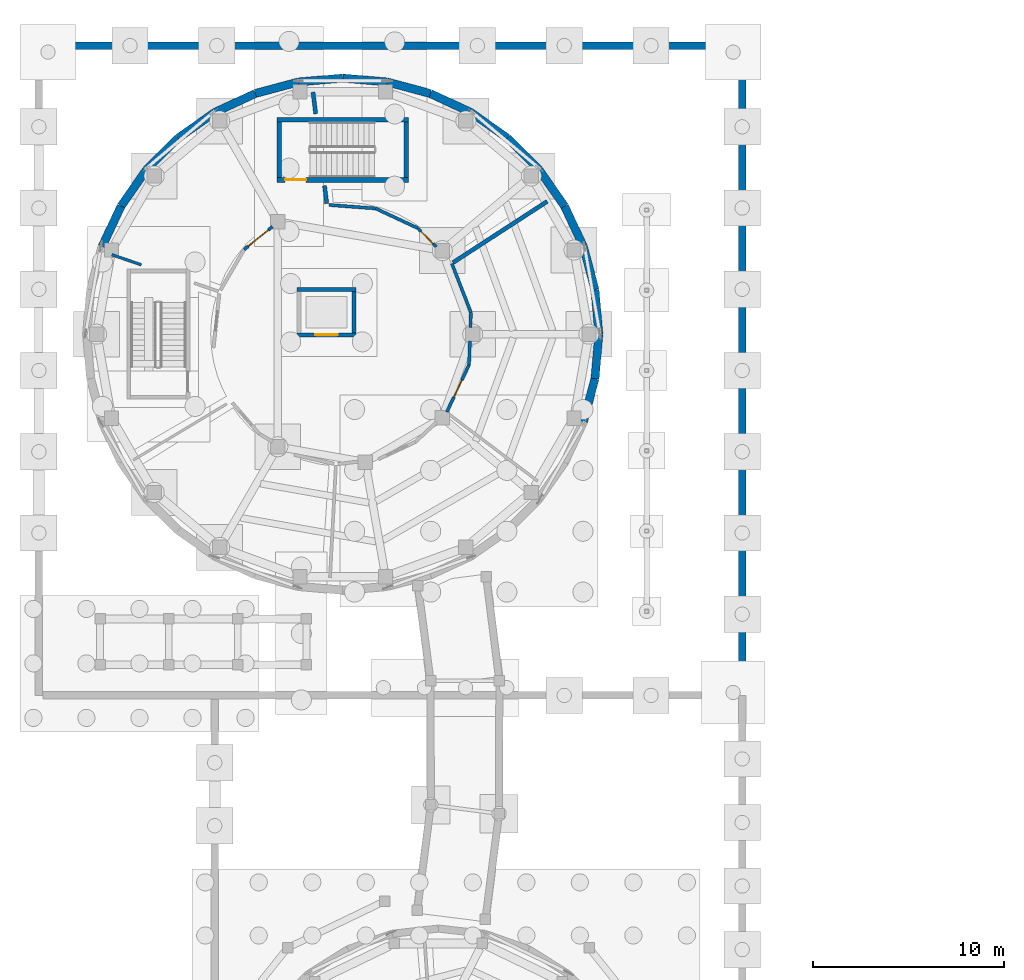
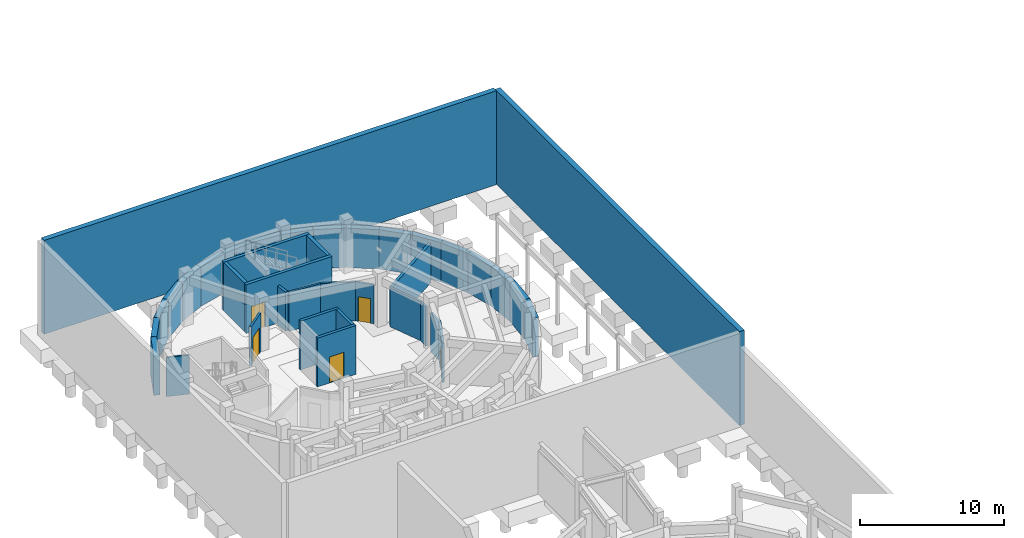
# One storey, part 43 of 57: 39 walls, 5 doors, 5 openings.
"""IFC4 building model written with IfcOpenShell, lengths in metres."""

from ifc_helpers import new_model, si_unit, direction, frame, frame_2d, origin, place, context, subcontext, project, spatial, rectangle, extrude, material, layer, layer_set, type_object, element, fill, save


model = new_model("IFC4")

# Units and contexts
model_context = context("Model", 3, precision=1e-05, world=origin(), true_north=direction((0.0, 1.0)))
body_context = subcontext(model_context, "Body", "Model", "MODEL_VIEW")
ifc_project = project(units=[si_unit("LENGTHUNIT", "METRE"), si_unit("AREAUNIT", "SQUARE_METRE"), si_unit("VOLUMEUNIT", "CUBIC_METRE"), si_unit("PLANEANGLEUNIT", "RADIAN"), si_unit("MASSUNIT", "GRAM", prefix="KILO")], contexts=[model_context])

# Site, building, storey
site_placement = place(None, origin())
site = spatial("IfcSite", under=ifc_project, at=site_placement, CompositionType="ELEMENT")
building_placement = place(site_placement, origin())
building = spatial("IfcBuilding", under=site, at=building_placement, Name="Aldenvaro Health Centre", CompositionType="ELEMENT")
storey_placement = place(building_placement, frame((0.0, 0.0, -4.550048828125)))
storey = spatial("IfcBuildingStorey", under=building, at=storey_placement, Name="B1", CompositionType="ELEMENT", Elevation=-4.550048828125)

# Wall
ifc_material_1 = material(Name="Gypsum Stud Acoustic Assembly")
ifc_layer_1 = layer(ifc_material_1, 0.14501953125, Name="Gypsum Stud Acoustic Assembly")
ifc_layer_set_1 = layer_set([ifc_layer_1], Name="Gypsum Stud Acoustic Assembly")
wall_type_1 = type_object("IfcWallType", Name="WL-CLN-145", PredefinedType="PARTITIONING", material=ifc_layer_set_1)
wall_1_placement = place(storey_placement, frame((7.9580078125, 103.1298828125, 0.0), z_axis=(0.0, 0.0, 1.0), x_axis=(-0.945571551617, 0.325414260248, 0.0)))
element("IfcWall", 1, at=wall_1_placement, inside=storey, type_object=wall_type_1, Name="D4 B1 clinical partition 3.2", PredefinedType="PARTITIONING", context=body_context, shape_type="SweptSolid", body=[
    extrude(rectangle(XDim=1.6318359375, YDim=0.14501953125, at=frame_2d((0.81591796875, 0.0))), origin(), (0.0, 0.0, 1.0), 3.322998046875),
])

# Wall, opening, door
ifc_layer_2 = layer(ifc_material_1, 0.1650390625, Name="Gypsum Stud Acoustic Assembly")
ifc_layer_set_2 = layer_set([ifc_layer_2], Name="Gypsum Stud Acoustic Assembly")
wall_type_2 = type_object("IfcWallType", Name="WL-COR-165", PredefinedType="PARTITIONING", material=ifc_layer_set_2)
wall_2_placement = place(storey_placement, frame((23.385986328125, 104.070068359375, 0.0), z_axis=(0.0, 0.0, 1.0), x_axis=(-0.697890704437, 0.716204275791, 0.0)))
wall_2 = element("IfcWall", 2, at=wall_2_placement, inside=storey, type_object=wall_type_2, Name="D4 B1 corridor wall 01.1", PredefinedType="PARTITIONING", context=body_context, shape_type="SweptSolid", body=[
    extrude(rectangle(XDim=1.35986328125, YDim=0.1650390625, at=frame_2d((0.679931640625, 0.0))), origin(), (0.0, 0.0, 1.0), 3.322998046875),
])
opening_1_placement = place(wall_2_placement, frame((0.22998046875, 0.0, 0.0)))
opening_1 = element("IfcOpeningElement", 3, at=opening_1_placement, cuts=wall_2, Name="Opening WD-01", PredefinedType="OPENING", context=body_context, shape_type="SweptSolid", body=[
    extrude(rectangle(XDim=0.89990234375, YDim=2.10009765625, at=frame_2d((0.449951171875, 1.050048828125))), frame((0.0, 0.092529296875, 0.0), z_axis=(0.0, -1.0, 0.0), x_axis=(1.0, 0.0, 0.0)), (0.0, 0.0, 1.0), 0.18505859375),
])
ifc_material_2 = material(Name="Moisture-Resistant Laminate Door")
door_type_1 = type_object("IfcDoorType", Name="DR-WC-01", OperationType="NOTDEFINED", PredefinedType="DOOR", material=ifc_material_2)
door_1_placement = place(opening_1_placement, origin())
door_1 = element("IfcDoor", 4, at=door_1_placement, inside=storey, type_object=door_type_1, Name="Clinical Laboratory Specimen Processing Door", OperationType="SINGLE_SWING_LEFT", OverallHeight=2.10009765625, OverallWidth=0.89990234375, PredefinedType="DOOR", context=body_context, shape_type="SweptSolid", body=[
    extrude(rectangle(XDim=0.89990234375, YDim=2.10009765625, at=frame_2d((0.449951171875, 1.050048828125))), frame((0.0, 0.02490234375, 0.0), z_axis=(0.0, -1.0, 0.0), x_axis=(1.0, 0.0, 0.0)), (0.0, 0.0, 1.0), 0.050048828125),
])
fill(opening_1, door_1)

# Walls
for number, where, z_axis, x_axis, name in (
    (5, (22.43701171875, 105.0439453125, 0.0), (0.0, 0.0, 1.0), (-0.906231489143, 0.422781844556, 0.0), "D4 B1 corridor wall 01.2"),
    (6, (20.216064453125, 106.080078125, 0.0), (0.0, 0.0, 1.0), (-0.997271830057, 0.073816644298, 0.0), "D4 B1 corridor wall 01.3"),
):
    element("IfcWall", number, at=place(storey_placement, frame(where, z_axis=z_axis, x_axis=x_axis)), inside=storey, type_object=wall_type_2, Name=name, PredefinedType="PARTITIONING", context=body_context, shape_type="SweptSolid", body=[
        extrude(rectangle(XDim=2.45068359375, YDim=0.1650390625, at=frame_2d((1.225341796875, 0.0))), origin(), (0.0, 0.0, 1.0), 3.322998046875),
    ])

# Wall, opening, door
wall_3_placement = place(storey_placement, frame((14.822998046875, 105.12890625, 0.0), z_axis=(0.0, 0.0, 1.0), x_axis=(-0.777328188004, -0.629095293366, 0.0)))
wall_3 = element("IfcWall", 7, at=wall_3_placement, inside=storey, type_object=wall_type_2, Name="D4 B1 corridor wall 02.1", PredefinedType="PARTITIONING", context=body_context, shape_type="SweptSolid", body=[
    extrude(rectangle(XDim=1.91064453125, YDim=0.1650390625, at=frame_2d((0.955322265625, 0.0))), origin(), (0.0, 0.0, 1.0), 3.322998046875),
])
opening_2_placement = place(wall_3_placement, frame((0.280029296875, 0.0, 0.0)))
opening_2 = element("IfcOpeningElement", 8, at=opening_2_placement, cuts=wall_3, Name="Opening XD-02", PredefinedType="OPENING", context=body_context, shape_type="SweptSolid", body=[
    extrude(rectangle(XDim=1.35009765625, YDim=2.219970703125, at=frame_2d((0.675048828125, 1.10986328125))), frame((0.0, 0.092529296875, 0.0), z_axis=(0.0, -1.0, 0.0), x_axis=(1.0, 0.0, 0.0)), (0.0, 0.0, 1.0), 0.18505859375),
])
ifc_material_3 = material(Name="RF-Shielded MRI Suite Door")
door_type_2 = type_object("IfcDoorType", Name="DR-IMG-135", OperationType="NOTDEFINED", PredefinedType="DOOR", material=ifc_material_3)
door_2_placement = place(opening_2_placement, origin())
door_2 = element("IfcDoor", 9, at=door_2_placement, inside=storey, type_object=door_type_2, Name="Hematology and Chemistry Analyzer Lab Door", OperationType="SINGLE_SWING_RIGHT", OverallHeight=2.219970703125, OverallWidth=1.35009765625, PredefinedType="DOOR", context=body_context, shape_type="SweptSolid", body=[
    extrude(rectangle(XDim=1.35009765625, YDim=2.219970703125, at=frame_2d((0.675048828125, 1.10986328125))), frame((0.0, 0.02490234375, 0.0), z_axis=(0.0, -1.0, 0.0), x_axis=(1.0, 0.0, 0.0)), (0.0, 0.0, 1.0), 0.050048828125),
])
fill(opening_2, door_2)

wall_4_placement = place(storey_placement, frame((23.943115234375, 95.427978515625, 0.0), z_axis=(0.0, 0.0, 1.0), x_axis=(0.426809203115, 0.90434169656, 0.0)))
wall_4 = element("IfcWall", 10, at=wall_4_placement, inside=storey, type_object=wall_type_2, Name="D4 B1 corridor wall 06.1", PredefinedType="PARTITIONING", context=body_context, shape_type="SweptSolid", body=[
    extrude(rectangle(XDim=2.72900390625, YDim=0.1650390625, at=frame_2d((1.364501953125, 0.0))), origin(), (0.0, 0.0, 1.0), 3.322998046875),
])
opening_3_placement = place(wall_4_placement, frame((0.875, 0.0, 0.0)))
opening_3 = element("IfcOpeningElement", 11, at=opening_3_placement, cuts=wall_4, Name="Opening WD-03", PredefinedType="OPENING", context=body_context, shape_type="SweptSolid", body=[
    extrude(rectangle(XDim=0.97998046875, YDim=2.10009765625, at=frame_2d((0.489990234375, 1.050048828125))), frame((0.0, 0.092529296875, 0.0), z_axis=(0.0, -1.0, 0.0), x_axis=(1.0, 0.0, 0.0)), (0.0, 0.0, 1.0), 0.18505859375),
])
ifc_material_4 = material(Name="Bariatric Accessible Sanitary Door")
door_type_3 = type_object("IfcDoorType", Name="DR-WC-03", OperationType="NOTDEFINED", PredefinedType="DOOR", material=ifc_material_4)
door_3_placement = place(opening_3_placement, origin())
door_3 = element("IfcDoor", 12, at=door_3_placement, inside=storey, type_object=door_type_3, Name="Laboratory Staff WC Door", OperationType="SINGLE_SWING_RIGHT", OverallHeight=2.10009765625, OverallWidth=0.97998046875, PredefinedType="DOOR", context=body_context, shape_type="SweptSolid", body=[
    extrude(rectangle(XDim=0.97998046875, YDim=2.10009765625, at=frame_2d((0.489990234375, 1.050048828125))), frame((0.0, 0.02490234375, 0.0), z_axis=(0.0, -1.0, 0.0), x_axis=(1.0, 0.0, 0.0)), (0.0, 0.0, 1.0), 0.050048828125),
])
fill(opening_3, door_3)

# Walls
wall_5_placement = place(storey_placement, frame((25.10791015625, 97.89599609375, 0.0), z_axis=(0.0, 0.0, 1.0), x_axis=(0.035219569185, 0.999379598524, 0.0)))
element("IfcWall", 13, at=wall_5_placement, inside=storey, type_object=wall_type_2, Name="D4 B1 corridor wall 06.2", PredefinedType="PARTITIONING", context=body_context, shape_type="SweptSolid", body=[
    extrude(rectangle(XDim=1.254638671875, YDim=0.1650390625, at=frame_2d((0.62744140625, 0.0))), origin(), (0.0, 0.0, 1.0), 3.322998046875),
])
wall_6_placement = place(storey_placement, frame((25.177001953125, 99.85888671875, 0.0), z_axis=(0.0, 0.0, 1.0), x_axis=(0.034720836478, 0.999397049983, 0.0)))
element("IfcWall", 14, at=wall_6_placement, inside=storey, type_object=wall_type_2, Name="D4 B1 corridor wall 06.3", PredefinedType="PARTITIONING", context=body_context, shape_type="SweptSolid", body=[
    extrude(rectangle(XDim=0.780517578125, YDim=0.1650390625, at=frame_2d((0.39013671875, 0.0))), origin(), (0.0, 0.0, 1.0), 3.322998046875),
])
wall_7_placement = place(storey_placement, frame((25.2041015625, 100.638916015625, 0.0), z_axis=(0.0, 0.0, 1.0), x_axis=(-0.362969965977, 0.931800839128, 0.0)))
element("IfcWall", 15, at=wall_7_placement, inside=storey, type_object=wall_type_2, Name="D4 B1 corridor wall 06.4", PredefinedType="PARTITIONING", context=body_context, shape_type="SweptSolid", body=[
    extrude(rectangle(XDim=2.744384765625, YDim=0.1650390625, at=frame_2d((1.3720703125, 0.0))), origin(), (0.0, 0.0, 1.0), 3.322998046875),
])
ifc_material_5 = material(Name="Concrete f'c 35 MPa", Category="concrete")
ifc_layer_3 = layer(ifc_material_5, 0.215087890625, Name="Concrete f'c 35 MPa", Category="concrete")
ifc_layer_set_3 = layer_set([ifc_layer_3], Name="Concrete f'c 35 MPa")
wall_type_3 = type_object("IfcWallType", Name="WL-IMG-215", PredefinedType="SOLIDWALL", material=ifc_layer_set_3)
wall_8_placement = place(storey_placement, frame((24.27294921875, 103.2490234375, 0.0), z_axis=(0.0, 0.0, 1.0), x_axis=(0.838645789039, 0.544677189284, 0.0)))
element("IfcWall", 16, at=wall_8_placement, inside=storey, type_object=wall_type_3, Name="D4 B1 clinical partition 1.1", PredefinedType="SOLIDWALL", context=body_context, shape_type="SweptSolid", body=[
    extrude(rectangle(XDim=5.875, YDim=0.215087890625, at=frame_2d((2.9375, 0.0))), origin(), (0.0, 0.0, 1.0), 3.322998046875),
])
wall_9_placement = place(storey_placement, frame((17.660888671875, 106.33203125, 0.0), z_axis=(0.0, 0.0, 1.0), x_axis=(-0.121681440816, 0.992569205124, 0.0)))
element("IfcWall", 17, at=wall_9_placement, inside=storey, type_object=wall_type_3, Name="D4 B1 clinical partition 2.1", PredefinedType="SOLIDWALL", context=body_context, shape_type="SweptSolid", body=[
    extrude(rectangle(XDim=0.945068359375, YDim=0.215087890625, at=frame_2d((0.47265625, 0.0))), origin(), (0.0, 0.0, 1.0), 3.322998046875),
])
wall_10_placement = place(storey_placement, frame((17.083984375, 111.030029296875, 0.0), z_axis=(0.0, 0.0, 1.0), x_axis=(-0.121691696254, 0.992567947832, 0.0)))
element("IfcWall", 18, at=wall_10_placement, inside=storey, type_object=wall_type_3, Name="D4 B1 clinical partition 2.2", PredefinedType="SOLIDWALL", context=body_context, shape_type="SweptSolid", body=[
    extrude(rectangle(XDim=1.1416015625, YDim=0.215087890625, at=frame_2d((0.57080078125, 0.0))), origin(), (0.0, 0.0, 1.0), 3.322998046875),
])
ifc_material_6 = material(Name="Concrete f'c 40 MPa", Category="concrete")
ifc_layer_4 = layer(ifc_material_6, 0.39990234375, Name="Concrete f'c 40 MPa", Category="concrete")
ifc_layer_set_4 = layer_set([ifc_layer_4], Name="Concrete f'c 40 MPa")
wall_type_4 = type_object("IfcWallType", Name="WL-RET-400", PredefinedType="USERDEFINED", material=ifc_layer_set_4)
wall_11_placement = place(storey_placement, frame((39.39990234375, 80.60009765625, 0.0), z_axis=(0.0, 0.0, 1.0), x_axis=(0.0, 1.0, 0.0)))
element("IfcWall", 19, at=wall_11_placement, inside=storey, type_object=wall_type_4, Name="Stepped Foothill Retaining Wall T4N-IW-00", ObjectType="RETAININGWALL", PredefinedType="USERDEFINED", context=body_context, shape_type="SweptSolid", body=[
    extrude(rectangle(XDim=34.0, YDim=0.39990234375, at=frame_2d((17.0, 0.0))), origin(), (0.0, 0.0, 1.0), 7.97998046875),
])
wall_12_placement = place(storey_placement, frame((2.823974609375, 114.60009765625, 0.0), z_axis=(0.0, 0.0, 1.0), x_axis=(1.0, 0.0, 0.0)))
element("IfcWall", 20, at=wall_12_placement, inside=storey, type_object=wall_type_4, Name="Stepped Foothill Retaining Wall T4N-NW-00", ObjectType="RETAININGWALL", PredefinedType="USERDEFINED", context=body_context, shape_type="SweptSolid", body=[
    extrude(rectangle(XDim=36.35205078125, YDim=0.39990234375, at=frame_2d((18.176025390625, 0.0))), origin(), (0.0, 0.0, 1.0), 7.97998046875),
])
ifc_layer_5 = layer(ifc_material_6, 0.429931640625, Name="Concrete f'c 40 MPa", Category="concrete")
ifc_layer_set_5 = layer_set([ifc_layer_5], Name="Concrete f'c 40 MPa")
wall_type_5 = type_object("IfcWallType", Name="WL-RET-430", PredefinedType="USERDEFINED", material=ifc_layer_set_5)
wall_13_placement = place(storey_placement, frame((31.89990234375, 99.5, 0.0), z_axis=(0.0, 0.0, 1.0), x_axis=(-0.087274565792, -0.996184295282, 0.0)))
element("IfcWall", 21, at=wall_13_placement, inside=storey, type_object=wall_type_5, Name="D4 B1 hillside retaining wall 01", ObjectType="RETAININGWALL", PredefinedType="USERDEFINED", context=body_context, shape_type="SweptSolid", body=[
    extrude(rectangle(XDim=2.3359375, YDim=0.429931640625, at=frame_2d((1.16796875, 0.0))), origin(), (0.0, 0.0, 1.0), 3.34814453125),
])
wall_14_placement = place(storey_placement, frame((31.696044921875, 97.173095703125, 0.0), z_axis=(0.0, 0.0, 1.0), x_axis=(-0.258612423585, -0.965981166673, 0.0)))
element("IfcWall", 22, at=wall_14_placement, inside=storey, type_object=wall_type_5, Name="D4 B1 hillside retaining wall 02", ObjectType="RETAININGWALL", PredefinedType="USERDEFINED", context=body_context, shape_type="SweptSolid", body=[
    extrude(rectangle(XDim=2.33544921875, YDim=0.429931640625, at=frame_2d((1.167724609375, 0.0))), origin(), (0.0, 0.0, 1.0), 3.34814453125),
])
for number, where, z_axis, x_axis, name in (
    (23, (5.907958984375, 104.0830078125, 0.0), (0.0, 0.0, 1.0), (0.422587894318, 0.906321946979, 0.0), "D4 B1 hillside retaining wall 21"),
    (24, (6.89501953125, 106.199951171875, 0.0), (0.0, 0.0, 1.0), (0.573728883722, 0.819045278347, 0.0), "D4 B1 hillside retaining wall 22"),
):
    element("IfcWall", number, at=place(storey_placement, frame(where, z_axis=z_axis, x_axis=x_axis)), inside=storey, type_object=wall_type_5, Name=name, ObjectType="RETAININGWALL", PredefinedType="USERDEFINED", context=body_context, shape_type="SweptSolid", body=[
        extrude(rectangle(XDim=2.335693359375, YDim=0.429931640625, at=frame_2d((1.16796875, 0.0))), origin(), (0.0, 0.0, 1.0), 3.34814453125),
    ])
wall_15_placement = place(storey_placement, frame((8.235107421875, 108.113037109375, 0.0), z_axis=(0.0, 0.0, 1.0), x_axis=(0.707106781187, 0.707106781187, 0.0)))
element("IfcWall", 25, at=wall_15_placement, inside=storey, type_object=wall_type_5, Name="D4 B1 hillside retaining wall 23", ObjectType="RETAININGWALL", PredefinedType="USERDEFINED", context=body_context, shape_type="SweptSolid", body=[
    extrude(rectangle(XDim=2.336181640625, YDim=0.429931640625, at=frame_2d((1.16796875, 0.0))), origin(), (0.0, 0.0, 1.0), 3.34814453125),
])
for number, where, z_axis, x_axis, name in (
    (26, (9.886962890625, 109.764892578125, 0.0), (0.0, 0.0, 1.0), (0.819045278347, 0.573728883722, 0.0), "D4 B1 hillside retaining wall 24"),
    (27, (11.800048828125, 111.10498046875, 0.0), (0.0, 0.0, 1.0), (0.906321946979, 0.422587894318, 0.0), "D4 B1 hillside retaining wall 25"),
):
    element("IfcWall", number, at=place(storey_placement, frame(where, z_axis=z_axis, x_axis=x_axis)), inside=storey, type_object=wall_type_5, Name=name, ObjectType="RETAININGWALL", PredefinedType="USERDEFINED", context=body_context, shape_type="SweptSolid", body=[
        extrude(rectangle(XDim=2.335693359375, YDim=0.429931640625, at=frame_2d((1.16796875, 0.0))), origin(), (0.0, 0.0, 1.0), 3.34814453125),
    ])
wall_16_placement = place(storey_placement, frame((13.9169921875, 112.092041015625, 0.0), z_axis=(0.0, 0.0, 1.0), x_axis=(0.965981166673, 0.258612423585, 0.0)))
element("IfcWall", 28, at=wall_16_placement, inside=storey, type_object=wall_type_5, Name="D4 B1 hillside retaining wall 26", ObjectType="RETAININGWALL", PredefinedType="USERDEFINED", context=body_context, shape_type="SweptSolid", body=[
    extrude(rectangle(XDim=2.33544921875, YDim=0.429931640625, at=frame_2d((1.167724609375, 0.0))), origin(), (0.0, 0.0, 1.0), 3.34814453125),
])
for number, where, z_axis, x_axis, name in (
    (29, (16.173095703125, 112.696044921875, 0.0), (0.0, 0.0, 1.0), (0.996184295282, 0.087274565792, 0.0), "D4 B1 hillside retaining wall 27"),
    (30, (18.5, 112.89990234375, 0.0), (0.0, 0.0, 1.0), (0.996184295282, -0.087274565792, 0.0), "D4 B1 hillside retaining wall 28"),
):
    element("IfcWall", number, at=place(storey_placement, frame(where, z_axis=z_axis, x_axis=x_axis)), inside=storey, type_object=wall_type_5, Name=name, ObjectType="RETAININGWALL", PredefinedType="USERDEFINED", context=body_context, shape_type="SweptSolid", body=[
        extrude(rectangle(XDim=2.3359375, YDim=0.429931640625, at=frame_2d((1.16796875, 0.0))), origin(), (0.0, 0.0, 1.0), 3.34814453125),
    ])
wall_17_placement = place(storey_placement, frame((20.826904296875, 112.696044921875, 0.0), z_axis=(0.0, 0.0, 1.0), x_axis=(0.965981166673, -0.258612423585, 0.0)))
element("IfcWall", 31, at=wall_17_placement, inside=storey, type_object=wall_type_5, Name="D4 B1 hillside retaining wall 29", ObjectType="RETAININGWALL", PredefinedType="USERDEFINED", context=body_context, shape_type="SweptSolid", body=[
    extrude(rectangle(XDim=2.33544921875, YDim=0.429931640625, at=frame_2d((1.167724609375, 0.0))), origin(), (0.0, 0.0, 1.0), 3.34814453125),
])
for number, where, z_axis, x_axis, name in (
    (32, (23.0830078125, 112.092041015625, 0.0), (0.0, 0.0, 1.0), (0.906321946979, -0.422587894318, 0.0), "D4 B1 hillside retaining wall 30"),
    (33, (25.199951171875, 111.10498046875, 0.0), (0.0, 0.0, 1.0), (0.819045278347, -0.573728883722, 0.0), "D4 B1 hillside retaining wall 31"),
):
    element("IfcWall", number, at=place(storey_placement, frame(where, z_axis=z_axis, x_axis=x_axis)), inside=storey, type_object=wall_type_5, Name=name, ObjectType="RETAININGWALL", PredefinedType="USERDEFINED", context=body_context, shape_type="SweptSolid", body=[
        extrude(rectangle(XDim=2.335693359375, YDim=0.429931640625, at=frame_2d((1.16796875, 0.0))), origin(), (0.0, 0.0, 1.0), 3.34814453125),
    ])
wall_18_placement = place(storey_placement, frame((27.113037109375, 109.764892578125, 0.0), z_axis=(0.0, 0.0, 1.0), x_axis=(0.707106781187, -0.707106781187, 0.0)))
element("IfcWall", 34, at=wall_18_placement, inside=storey, type_object=wall_type_5, Name="D4 B1 hillside retaining wall 32", ObjectType="RETAININGWALL", PredefinedType="USERDEFINED", context=body_context, shape_type="SweptSolid", body=[
    extrude(rectangle(XDim=2.336181640625, YDim=0.429931640625, at=frame_2d((1.16796875, 0.0))), origin(), (0.0, 0.0, 1.0), 3.34814453125),
])
for number, where, z_axis, x_axis, name in (
    (35, (28.764892578125, 108.113037109375, 0.0), (0.0, 0.0, 1.0), (0.573728883722, -0.819045278347, 0.0), "D4 B1 hillside retaining wall 33"),
    (36, (30.10498046875, 106.199951171875, 0.0), (0.0, 0.0, 1.0), (0.422587894318, -0.906321946979, 0.0), "D4 B1 hillside retaining wall 34"),
):
    element("IfcWall", number, at=place(storey_placement, frame(where, z_axis=z_axis, x_axis=x_axis)), inside=storey, type_object=wall_type_5, Name=name, ObjectType="RETAININGWALL", PredefinedType="USERDEFINED", context=body_context, shape_type="SweptSolid", body=[
        extrude(rectangle(XDim=2.335693359375, YDim=0.429931640625, at=frame_2d((1.16796875, 0.0))), origin(), (0.0, 0.0, 1.0), 3.34814453125),
    ])
wall_19_placement = place(storey_placement, frame((31.092041015625, 104.0830078125, 0.0), z_axis=(0.0, 0.0, 1.0), x_axis=(0.258612423585, -0.965981166673, 0.0)))
element("IfcWall", 37, at=wall_19_placement, inside=storey, type_object=wall_type_5, Name="D4 B1 hillside retaining wall 35", ObjectType="RETAININGWALL", PredefinedType="USERDEFINED", context=body_context, shape_type="SweptSolid", body=[
    extrude(rectangle(XDim=2.33544921875, YDim=0.429931640625, at=frame_2d((1.167724609375, 0.0))), origin(), (0.0, 0.0, 1.0), 3.34814453125),
])
wall_20_placement = place(storey_placement, frame((31.696044921875, 101.826904296875, 0.0), z_axis=(0.0, 0.0, 1.0), x_axis=(0.087274565792, -0.996184295282, 0.0)))
element("IfcWall", 38, at=wall_20_placement, inside=storey, type_object=wall_type_5, Name="D4 B1 hillside retaining wall 36", ObjectType="RETAININGWALL", PredefinedType="USERDEFINED", context=body_context, shape_type="SweptSolid", body=[
    extrude(rectangle(XDim=2.3359375, YDim=0.429931640625, at=frame_2d((1.16796875, 0.0))), origin(), (0.0, 0.0, 1.0), 3.34814453125),
])

# Wall, opening, door
ifc_layer_6 = layer(ifc_material_6, 0.22509765625, Name="Concrete f'c 40 MPa", Category="concrete")
ifc_layer_set_6 = layer_set([ifc_layer_6], Name="Concrete f'c 40 MPa")
wall_type_6 = type_object("IfcWallType", Name="WL-SHAFT-225", PredefinedType="SHEAR", material=ifc_layer_set_6)
wall_21_placement = place(storey_placement, frame((16.10009765625, 99.462890625, 0.0), z_axis=(0.0, 0.0, 1.0), x_axis=(1.0, 0.0, 0.0)))
wall_21 = element("IfcWall", 39, at=wall_21_placement, inside=storey, type_object=wall_type_6, Name="LF-04 B1 lift shaft front wall", PredefinedType="SHEAR", context=body_context, shape_type="SweptSolid", body=[
    extrude(rectangle(XDim=3.099853515625, YDim=0.22509765625, at=frame_2d((1.5498046875, 0.0))), origin(), (0.0, 0.0, 1.0), 4.14794921875),
])
opening_4_placement = place(wall_21_placement, frame((0.949951171875, 0.0, 0.0)))
opening_4 = element("IfcOpeningElement", 40, at=opening_4_placement, cuts=wall_21, Name="Opening LD-01", PredefinedType="OPENING", context=body_context, shape_type="SweptSolid", body=[
    extrude(rectangle(XDim=1.199951171875, YDim=2.199951171875, at=frame_2d((0.60009765625, 1.10009765625))), frame((0.0, 0.12255859375, 0.0), z_axis=(0.0, -1.0, 0.0), x_axis=(1.0, 0.0, 0.0)), (0.0, 0.0, 1.0), 0.2451171875),
])
ifc_material_7 = material(Name="Stainless Steel Lift Landing Door", Category="steel")
door_type_4 = type_object("IfcDoorType", Name="DR-LIFT-120", OperationType="DOUBLE_DOOR_SLIDING", PredefinedType="DOOR", material=ifc_material_7)
door_4_placement = place(opening_4_placement, origin())
door_4 = element("IfcDoor", 41, at=door_4_placement, inside=storey, type_object=door_type_4, Name="Lift LF-04 B1 Sliding Landing Door", OperationType="DOUBLE_DOOR_SLIDING", OverallHeight=2.199951171875, OverallWidth=1.199951171875, PredefinedType="DOOR", context=body_context, shape_type="SweptSolid", body=[
    extrude(rectangle(XDim=1.199951171875, YDim=2.199951171875, at=frame_2d((0.60009765625, 1.10009765625))), frame((0.0, 0.02490234375, 0.0), z_axis=(0.0, -1.0, 0.0), x_axis=(1.0, 0.0, 0.0)), (0.0, 0.0, 1.0), 0.050048828125),
])
fill(opening_4, door_4)

# Walls
wall_22_placement = place(storey_placement, frame((16.10009765625, 101.837890625, 0.0), z_axis=(0.0, 0.0, 1.0), x_axis=(1.0, 0.0, 0.0)))
element("IfcWall", 42, at=wall_22_placement, inside=storey, type_object=wall_type_6, Name="LF-04 B1 lift shaft rear wall", PredefinedType="SHEAR", context=body_context, shape_type="SweptSolid", body=[
    extrude(rectangle(XDim=3.099853515625, YDim=0.22509765625, at=frame_2d((1.5498046875, 0.0))), origin(), (0.0, 0.0, 1.0), 4.14794921875),
])
wall_23_placement = place(storey_placement, frame((19.0869140625, 99.574951171875, 0.0), z_axis=(0.0, 0.0, 1.0), x_axis=(0.0, 1.0, 0.0)))
element("IfcWall", 43, at=wall_23_placement, inside=storey, type_object=wall_type_6, Name="LF-04 B1 lift shaft side wall R", PredefinedType="SHEAR", context=body_context, shape_type="SweptSolid", body=[
    extrude(rectangle(XDim=2.150146484375, YDim=0.22509765625, at=frame_2d((1.0751953125, 0.0))), origin(), (0.0, 0.0, 1.0), 4.14794921875),
])

# Wall, opening, door
ifc_layer_7 = layer(ifc_material_6, 0.25, Name="Concrete f'c 40 MPa", Category="concrete")
ifc_layer_set_7 = layer_set([ifc_layer_7], Name="Concrete f'c 40 MPa")
wall_type_7 = type_object("IfcWallType", Name="WL-SHAFT-250", PredefinedType="SHEAR", material=ifc_layer_set_7)
wall_24_placement = place(storey_placement, frame((15.050048828125, 107.574951171875, 0.0), z_axis=(0.0, 0.0, 1.0), x_axis=(1.0, 0.0, 0.0)))
wall_24 = element("IfcWall", 44, at=wall_24_placement, inside=storey, type_object=wall_type_7, Name="ST-07 B1 inner core wall", PredefinedType="SHEAR", context=body_context, shape_type="SweptSolid", body=[
    extrude(rectangle(XDim=6.89990234375, YDim=0.25, at=frame_2d((3.449951171875, 0.0))), origin(), (0.0, 0.0, 1.0), 4.14794921875),
])
opening_5_placement = place(wall_24_placement, frame((0.429931640625, 0.0, 0.0)))
opening_5 = element("IfcOpeningElement", 45, at=opening_5_placement, cuts=wall_24, Name="Opening FD-01", PredefinedType="OPENING", context=body_context, shape_type="SweptSolid", body=[
    extrude(rectangle(XDim=1.10009765625, YDim=2.14990234375, at=frame_2d((0.550048828125, 1.074951171875))), frame((0.0, 0.135009765625, 0.0), z_axis=(0.0, -1.0, 0.0), x_axis=(1.0, 0.0, 0.0)), (0.0, 0.0, 1.0), 0.27001953125),
])
ifc_material_8 = material(Name="Fire-Rated Steel Door Assembly", Category="steel")
door_type_5 = type_object("IfcDoorType", Name="DR-STAIR-110", OperationType="NOTDEFINED", PredefinedType="DOOR", material=ifc_material_8)
door_5_placement = place(opening_5_placement, origin())
door_5 = element("IfcDoor", 46, at=door_5_placement, inside=storey, type_object=door_type_5, Name="ST-07 B1 fire stair door", OperationType="SINGLE_SWING_LEFT", OverallHeight=2.14990234375, OverallWidth=1.10009765625, PredefinedType="DOOR", context=body_context, shape_type="SweptSolid", body=[
    extrude(rectangle(XDim=1.10009765625, YDim=2.14990234375, at=frame_2d((0.550048828125, 1.074951171875))), frame((0.0, 0.02490234375, 0.0), z_axis=(0.0, -1.0, 0.0), x_axis=(1.0, 0.0, 0.0)), (0.0, 0.0, 1.0), 0.050048828125),
])
fill(opening_5, door_5)

# Walls
wall_25_placement = place(storey_placement, frame((15.050048828125, 110.72509765625, 0.0), z_axis=(0.0, 0.0, 1.0), x_axis=(1.0, 0.0, 0.0)))
element("IfcWall", 47, at=wall_25_placement, inside=storey, type_object=wall_type_7, Name="ST-07 B1 far core wall", PredefinedType="SHEAR", context=body_context, shape_type="SweptSolid", body=[
    extrude(rectangle(XDim=6.89990234375, YDim=0.25, at=frame_2d((3.449951171875, 0.0))), origin(), (0.0, 0.0, 1.0), 4.14794921875),
])
for number, where, z_axis, x_axis, name in (
    (48, (15.175048828125, 107.699951171875, 0.0), (0.0, 0.0, 1.0), (0.0, 1.0, 0.0), "ST-07 B1 side core wall L"),
    (49, (21.824951171875, 107.699951171875, 0.0), (0.0, 0.0, 1.0), (0.0, 1.0, 0.0), "ST-07 B1 side core wall R"),
):
    element("IfcWall", number, at=place(storey_placement, frame(where, z_axis=z_axis, x_axis=x_axis)), inside=storey, type_object=wall_type_7, Name=name, PredefinedType="SHEAR", context=body_context, shape_type="SweptSolid", body=[
        extrude(rectangle(XDim=2.900146484375, YDim=0.25, at=frame_2d((1.4501953125, 0.0))), origin(), (0.0, 0.0, 1.0), 4.14794921875),
    ])

save(model, "model.ifc")
